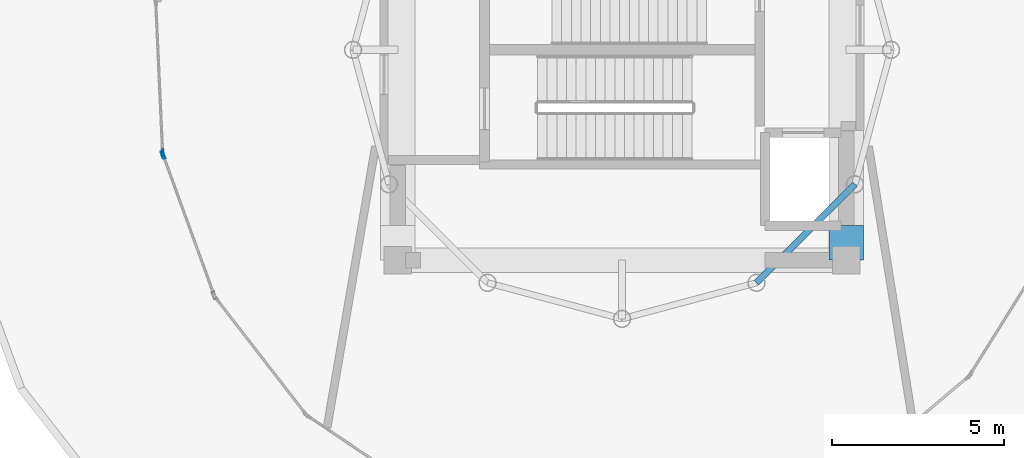
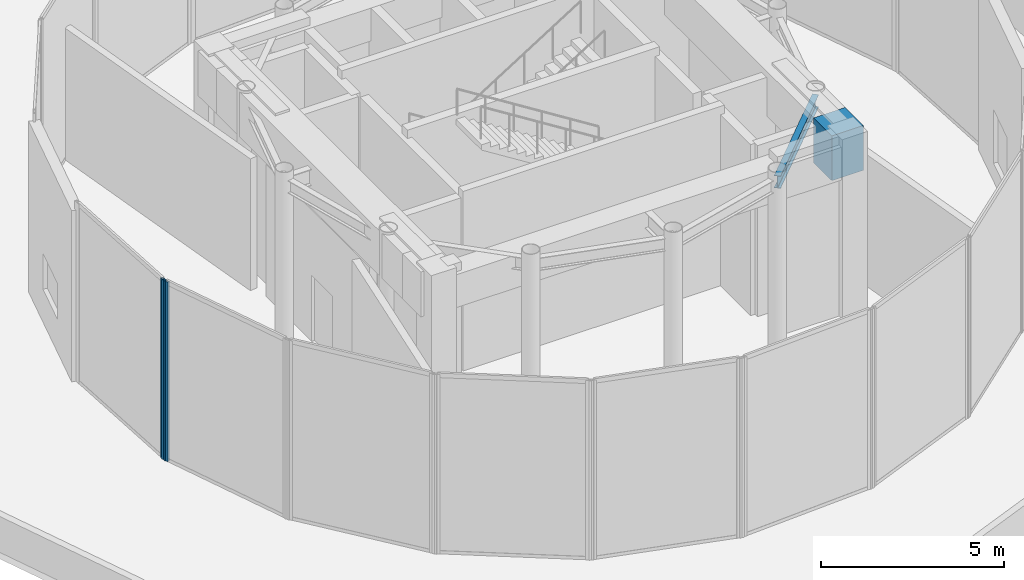
# One storey, part 4 of 12: 2 beams, 2 members, 2 elements without a shape of their own.
"""IFC4 building model written with IfcOpenShell, lengths in metres."""

from ifc_helpers import new_model, si_unit, direction, frame, origin, origin_2d, place, context, subcontext, project, spatial, rectangle, hollow_rectangle, i_section, extrude, source, transform, mapped, material, layer, layer_set, material_profile, profile_set, type_object, element, aggregate, save


model = new_model("IFC4")

# Units and contexts
model_context = context("Model", 3, precision=1e-05, world=origin(), true_north=direction((0.0, 1.0)))
body_context = subcontext(model_context, "Body", "Model", "MODEL_VIEW")
ifc_project = project(units=[si_unit("LENGTHUNIT", "METRE"), si_unit("AREAUNIT", "SQUARE_METRE"), si_unit("VOLUMEUNIT", "CUBIC_METRE"), si_unit("PLANEANGLEUNIT", "RADIAN"), si_unit("MASSUNIT", "GRAM", prefix="KILO")], contexts=[model_context])

# Site, building, storey
site_placement = place(None, origin())
site = spatial("IfcSite", under=ifc_project, at=site_placement, CompositionType="ELEMENT")
building_placement = place(site_placement, origin())
building = spatial("IfcBuilding", under=site, at=building_placement, Name="Solvirekh Grand Hotel", CompositionType="ELEMENT")
storey_placement = place(building_placement, frame((0.0, 0.0, 302.199951171875)))
storey = spatial("IfcBuildingStorey", under=building, at=storey_placement, Name="L78", CompositionType="ELEMENT", Elevation=302.199951171875)

# Beams
ifc_material_1 = material(Name="Steel S355", Category="steel")
ifc_material_profile_1 = material_profile(ifc_material_1, i_section(OverallWidth=0.180908203125, OverallDepth=0.4169921875, WebThickness=0.010009765625, FlangeThickness=0.01611328125, FilletRadius=0.011962890625, at=origin_2d()), Name="W410X85")
ifc_profile_set_1 = profile_set([ifc_material_profile_1], Name="Steel S355")
beam_type_1 = type_object("IfcBeamType", Name="Spandrel_Ring_W410", PredefinedType="SPANDREL", material=ifc_profile_set_1)
beam_1_placement = place(storey_placement, frame((3.89990234375, -6.7548828125, 5.511962890625), z_axis=(0.707106781187, 0.707106781187, 0.0), x_axis=(-0.707106781187, 0.707106781187, 0.0)))
element("IfcBeam", 1, at=beam_1_placement, inside=storey, type_object=beam_type_1, Name="L78 perimeter spandrel beam 11", PredefinedType="SPANDREL", context=body_context, shape_type="SweptSolid", body=[
    extrude(i_section(OverallWidth=0.180908203125, OverallDepth=0.4169921875, WebThickness=0.010009765625, FlangeThickness=0.01611328125, FilletRadius=0.011962890625, at=origin_2d()), origin(), (0.0, 0.0, 1.0), 4.03759765625),
])
ifc_material_2 = material(Name="Concrete C50/60", Category="concrete")
ifc_material_profile_2 = material_profile(ifc_material_2, rectangle(XDim=1.0, YDim=1.5, at=origin_2d()), Name="RC GIRDER 1000X1500")
ifc_profile_set_2 = profile_set([ifc_material_profile_2], Name="Concrete C50/60")
beam_type_2 = type_object("IfcBeamType", Name="TransferGirder_RC1500", PredefinedType="USERDEFINED", material=ifc_profile_set_2)
beam_2_placement = place(storey_placement, frame((6.5, -6.10009765625, 5.170166015625), z_axis=(0.0, 1.0, 0.0), x_axis=(-1.0, 0.0, 0.0)))
element("IfcBeam", 2, at=beam_2_placement, inside=storey, type_object=beam_type_2, Name="L78 core step transfer beam 2A", ObjectType="TRANSFER GIRDER", PredefinedType="USERDEFINED", context=body_context, shape_type="SweptSolid", body=[
    extrude(rectangle(XDim=1.0, YDim=1.5, at=origin_2d()), origin(), (0.0, 0.0, 1.0), 1.0),
])

# Curtain wall, member
ifc_material_3 = material(Name="Anodized Bronze Aluminium 6063-T6", Category="aluminium")
ifc_layer = layer(ifc_material_3, 0.219970703125)
ifc_layer_set = layer_set([ifc_layer], Name="Anodized Bronze Aluminium 6063-T6")
curtain_wall_type = type_object("IfcCurtainWallType", Name="CW_Sys6_CrownFacetedPointCW", PredefinedType="NOTDEFINED", material=ifc_layer_set)
curtain_wall_1_placement = place(storey_placement, origin())
curtain_wall_1 = element("IfcCurtainWall", 3, at=curtain_wall_1_placement, inside=storey, type_object=curtain_wall_type, Name="L78 unitised bronze-glass curtain wall CW-L78-C16", PredefinedType="NOTDEFINED")
ifc_material_profile_3 = material_profile(ifc_material_3, hollow_rectangle(XDim=0.074951171875, YDim=0.219970703125, WallThickness=0.006103515625, at=origin_2d()), Name="ALU RHS 220X75X6")
ifc_profile_set_3 = profile_set([ifc_material_profile_3], Name="Anodized Bronze Aluminium 6063-T6")
member_type = type_object("IfcMemberType", Name="CWMullion_Sys6", PredefinedType="MULLION", material=ifc_profile_set_3)
shared_shape = source(origin(), body_context, "Body", "SweptSolid", [
    extrude(hollow_rectangle(XDim=0.074951171875, YDim=0.219970703125, WallThickness=0.006103515625, at=origin_2d()), origin(), (0.0, 0.0, 1.0), 6.0),
])
member_1_placement = place(storey_placement, frame((-13.32373046875, -2.974609375, 0.0), z_axis=(0.0, 0.0, 1.0), x_axis=(0.998953621923, 0.045734683194, 0.0)))
member_1 = element("IfcMember", 4, at=member_1_placement, type_object=member_type, Name="U06 mullion 2", PredefinedType="MULLION", context=body_context, shape_type="MappedRepresentation", body=[
    mapped(shared_shape, transform((0.0, 0.0, 0.0), x_axis=(1.0, 0.0, 0.0), y_axis=(0.0, 1.0, 0.0), z_axis=(0.0, 0.0, 1.0), scale=1.0)),
])
aggregate(curtain_wall_1, [member_1])

curtain_wall_2_placement = place(storey_placement, origin())
curtain_wall_2 = element("IfcCurtainWall", 5, at=curtain_wall_2_placement, inside=storey, type_object=curtain_wall_type, Name="L78 unitised bronze-glass curtain wall CW-L78-C17", PredefinedType="NOTDEFINED")
member_2_placement = place(storey_placement, frame((-13.30908203125, -3.047119140625, 0.0), z_axis=(0.0, 0.0, 1.0), x_axis=(0.939654148066, 0.342125827763, 0.0)))
member_2 = element("IfcMember", 6, at=member_2_placement, type_object=member_type, Name="U06 mullion 1", PredefinedType="MULLION", context=body_context, shape_type="MappedRepresentation", body=[
    mapped(shared_shape, transform((0.0, 0.0, 0.0), x_axis=(1.0, 0.0, 0.0), y_axis=(0.0, 1.0, 0.0), z_axis=(0.0, 0.0, 1.0), scale=1.0)),
])
aggregate(curtain_wall_2, [member_2])

save(model, "model.ifc")
